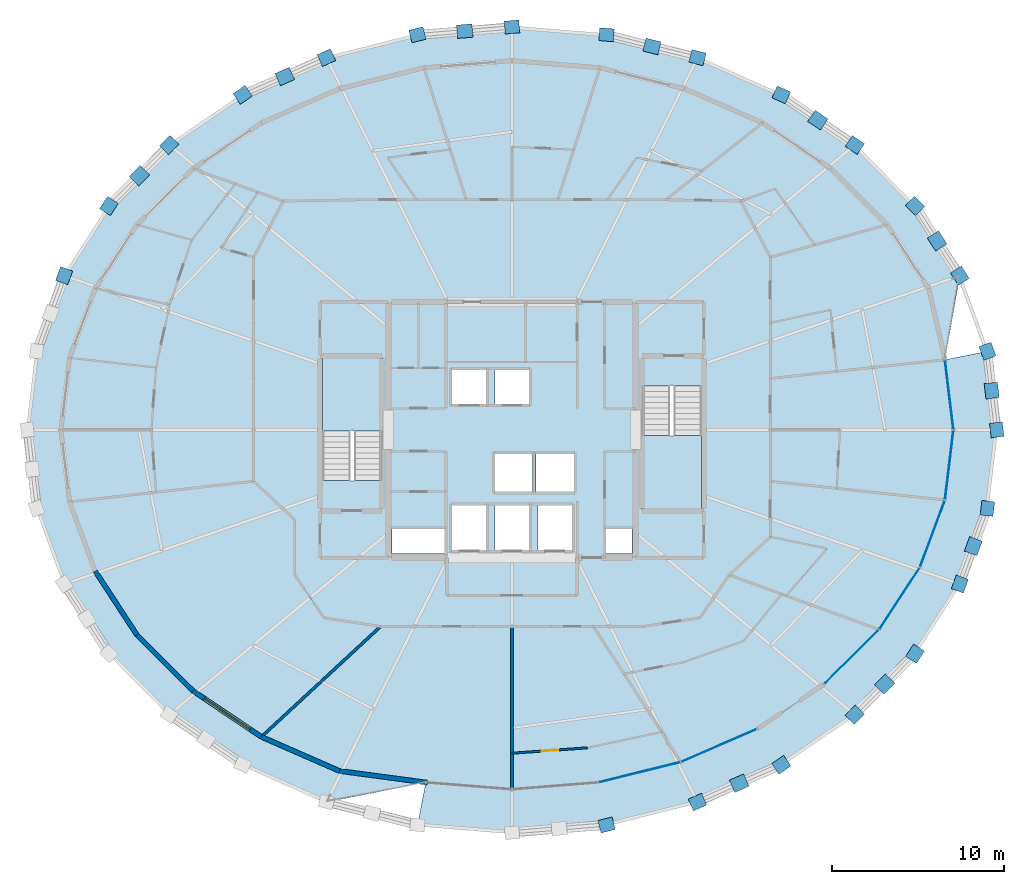
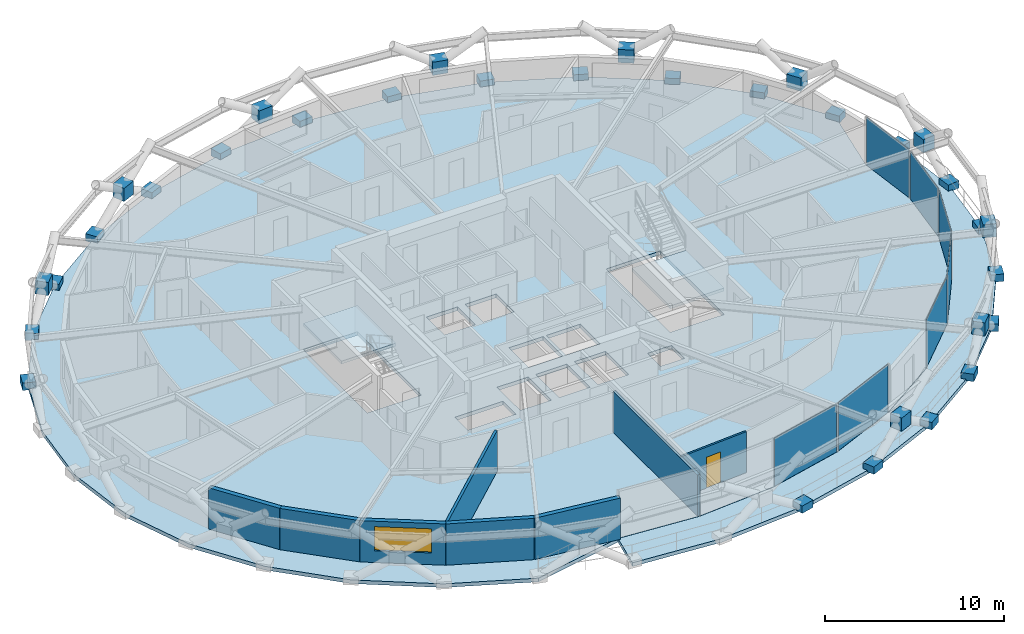
# One storey, part 13 of 19: 39 plates, 8 walls, 4 slabs, 1 door, 1 window, 2 openings, 4 elements without a shape of their own.
"""IFC4 building model written with IfcOpenShell, lengths in metres."""

from ifc_helpers import new_model, si_unit, direction, frame, frame_2d, origin, origin_2d, place, context, subcontext, project, spatial, polyline, rectangle, outline, extrude, material, layer, layer_set, type_object, element, fill, aggregate, save


model = new_model("IFC4")

# Units and contexts
model_context = context("Model", 3, precision=1e-05, world=origin(), true_north=direction((0.0, 1.0)))
body_context = subcontext(model_context, "Body", "Model", "MODEL_VIEW")
ifc_project = project(units=[si_unit("LENGTHUNIT", "METRE"), si_unit("AREAUNIT", "SQUARE_METRE"), si_unit("VOLUMEUNIT", "CUBIC_METRE"), si_unit("PLANEANGLEUNIT", "RADIAN"), si_unit("MASSUNIT", "GRAM", prefix="KILO")], contexts=[model_context])

# Site, building, storey
site_placement = place(None, origin())
site = spatial("IfcSite", under=ifc_project, at=site_placement, CompositionType="ELEMENT")
building_placement = place(site_placement, origin())
building = spatial("IfcBuilding", under=site, at=building_placement, Name="Veldorina Hangang Commons", CompositionType="ELEMENT")
storey_placement = place(building_placement, frame((0.0, 0.0, 156.800048828125)))
storey = spatial("IfcBuildingStorey", under=building, at=storey_placement, Name="L40", CompositionType="ELEMENT", Elevation=156.800048828125)

# Curtain wall, plates
ifc_material_1 = material(Name="Glass Low-E Triple IGU", Category="glass")
ifc_layer_1 = layer(ifc_material_1, 0.179931640625)
ifc_layer_set_1 = layer_set([ifc_layer_1], Name="Glass Low-E Triple IGU")
curtain_wall_type = type_object("IfcCurtainWallType", Name="CW-SYS-Z2", PredefinedType="NOTDEFINED", material=ifc_layer_set_1)
curtain_wall_1_placement = place(storey_placement, origin())
curtain_wall_1 = element("IfcCurtainWall", 1, at=curtain_wall_1_placement, inside=storey, type_object=curtain_wall_type, Name="L40 unitised curtain wall CW-L40-R1", PredefinedType="NOTDEFINED")
ifc_layer_2 = layer(ifc_material_1, 0.0400390625)
ifc_layer_set_2 = layer_set([ifc_layer_2], Name="Glass Low-E Triple IGU")
plate_type_1 = type_object("IfcPlateType", Name="CW-PNL-VIS", PredefinedType="CURTAIN_PANEL", material=ifc_layer_set_2)
plate_1_placement = place(storey_placement, frame((39.4287109375, 4.053955078125, 0.01513671875), z_axis=(0.0, 0.0, 1.0), x_axis=(0.970804464551, 0.239872240177, 0.0)))
plate_1 = element("IfcPlate", 2, at=plate_1_placement, type_object=plate_type_1, Name="CW-L40-R1 facet 3 glazed vision panel", PredefinedType="CURTAIN_PANEL", context=body_context, shape_type="SweptSolid", body=[
    extrude(rectangle(XDim=4.7890625, YDim=0.0400390625, at=origin_2d()), origin(), (0.0, 0.0, 1.0), 3.280029296875),
])
plate_2_placement = place(storey_placement, frame((44.0634765625, 5.61767578125, 0.01513671875), z_axis=(0.0, 0.0, 1.0), x_axis=(0.916872066496, 0.399181179014, 0.0)))
plate_2 = element("IfcPlate", 3, at=plate_2_placement, type_object=plate_type_1, Name="CW-L40-R1 facet 4 glazed vision panel", PredefinedType="CURTAIN_PANEL", context=body_context, shape_type="SweptSolid", body=[
    extrude(rectangle(XDim=4.668701171875, YDim=0.0400390625, at=origin_2d()), origin(), (0.0, 0.0, 1.0), 3.280029296875),
])
aggregate(curtain_wall_1, [plate_1, plate_2])

curtain_wall_2_placement = place(storey_placement, origin())
curtain_wall_2 = element("IfcCurtainWall", 4, at=curtain_wall_2_placement, inside=storey, type_object=curtain_wall_type, Name="L40 unitised curtain wall CW-L40-R2", PredefinedType="NOTDEFINED")
plate_3_placement = place(storey_placement, frame((51.7822265625, 10.777099609375, 0.01513671875), z_axis=(0.0, 0.0, 1.0), x_axis=(0.709792068883, 0.704411256974, 0.0)))
plate_3 = element("IfcPlate", 5, at=plate_3_placement, type_object=plate_type_1, Name="CW-L40-R2 facet 1 glazed vision panel", PredefinedType="CURTAIN_PANEL", context=body_context, shape_type="SweptSolid", body=[
    extrude(rectangle(XDim=4.32568359375, YDim=0.0400390625, at=origin_2d()), origin(), (0.0, 0.0, 1.0), 3.280029296875),
])
plate_4_placement = place(storey_placement, frame((54.5693359375, 14.17431640625, 0.01513671875), z_axis=(0.0, 0.0, 1.0), x_axis=(0.548658075987, 0.836046838194, 0.0)))
plate_4 = element("IfcPlate", 6, at=plate_4_placement, type_object=plate_type_1, Name="CW-L40-R2 facet 2 glazed vision panel", PredefinedType="CURTAIN_PANEL", context=body_context, shape_type="SweptSolid", body=[
    extrude(rectangle(XDim=4.151123046875, YDim=0.0400390625, at=origin_2d()), origin(), (0.0, 0.0, 1.0), 3.280029296875),
])
plate_5_placement = place(storey_placement, frame((56.489013671875, 17.949462890625, 0.01513671875), z_axis=(0.0, 0.0, 1.0), x_axis=(0.349013692334, 0.937117624721, 0.0)))
plate_5 = element("IfcPlate", 7, at=plate_5_placement, type_object=plate_type_1, Name="CW-L40-R2 facet 3 glazed vision panel", PredefinedType="CURTAIN_PANEL", context=body_context, shape_type="SweptSolid", body=[
    extrude(rectangle(XDim=4.0126953125, YDim=0.0400390625, at=origin_2d()), origin(), (0.0, 0.0, 1.0), 3.280029296875),
])
plate_6_placement = place(storey_placement, frame((57.4677734375, 21.95703125, 0.01513671875), z_axis=(0.0, 0.0, 1.0), x_axis=(0.120050203956, 0.992767822066, 0.0)))
plate_6 = element("IfcPlate", 8, at=plate_6_placement, type_object=plate_type_1, Name="CW-L40-R2 facet 4 glazed vision panel", PredefinedType="CURTAIN_PANEL", context=body_context, shape_type="SweptSolid", body=[
    extrude(rectangle(XDim=3.935791015625, YDim=0.0400390625, at=origin_2d()), origin(), (0.0, 0.0, 1.0), 3.280029296875),
])
plate_7_placement = place(storey_placement, frame((57.4677734375, 26.04296875, 0.01513671875), z_axis=(0.0, 0.0, 1.0), x_axis=(-0.120050203956, 0.992767822066, 0.0)))
plate_7 = element("IfcPlate", 9, at=plate_7_placement, type_object=plate_type_1, Name="CW-L40-R2 facet 5 glazed vision panel", PredefinedType="CURTAIN_PANEL", context=body_context, shape_type="SweptSolid", body=[
    extrude(rectangle(XDim=3.935791015625, YDim=0.0400390625, at=origin_2d()), origin(), (0.0, 0.0, 1.0), 3.280029296875),
])
aggregate(curtain_wall_2, [plate_3, plate_4, plate_5, plate_6, plate_7])

# Plates
ifc_material_2 = material(Name="Steel SM460-TMC", Category="steel")
ifc_layer_3 = layer(ifc_material_2, 0.035888671875)
ifc_layer_set_3 = layer_set([ifc_layer_3], Name="Steel SM460-TMC")
plate_type_2 = type_object("IfcPlateType", Name="PL-STAR-36", PredefinedType="USERDEFINED", material=ifc_layer_set_3)
plate_8_placement = place(storey_placement, frame((60.23486328125, 24.0, -0.090087890625), z_axis=(0.0, 0.0, 1.0), x_axis=(-0.117693386836, 0.993049981972, 0.0)))
element("IfcPlate", 10, at=plate_8_placement, inside=storey, type_object=plate_type_2, Name="L40 diagrid star-node gusset plate 00", ObjectType="GUSSET PLATE", PredefinedType="USERDEFINED", context=body_context, shape_type="SweptSolid", body=[
    extrude(rectangle(XDim=0.85009765625, YDim=0.75, at=origin_2d()), origin(), (0.0, 0.0, 1.0), 0.5),
])
plate_9_placement = place(storey_placement, frame((59.94091796875, 26.287353515625, 1.351318359375), z_axis=(0.0, 0.0, 1.0), x_axis=(-0.117693386836, 0.993049981972, 0.0)))
element("IfcPlate", 11, at=plate_9_placement, inside=storey, type_object=plate_type_2, Name="L40 diagrid X-crossing star-node gusset plate 00", ObjectType="GUSSET PLATE", PredefinedType="USERDEFINED", context=body_context, shape_type="SweptSolid", body=[
    extrude(rectangle(XDim=0.89990234375, YDim=0.780029296875, at=origin_2d()), origin(), (0.0, 0.0, 1.0), 0.89990234375),
])
for number, where, z_axis, x_axis, name in (
    (12, (59.6923828125, 28.57763671875, -0.090087890625), (0.0, 0.0, 1.0), (-0.342905630723, 0.939369857095, 0.0), "L40 diagrid star-node gusset plate 01"),
    (13, (58.085693359375, 32.9794921875, -0.090087890625), (0.0, 0.0, 1.0), (-0.540930433927, 0.841067337169, 0.0), "L40 diagrid star-node gusset plate 02"),
):
    element("IfcPlate", number, at=place(storey_placement, frame(where, z_axis=z_axis, x_axis=x_axis)), inside=storey, type_object=plate_type_2, Name=name, ObjectType="GUSSET PLATE", PredefinedType="USERDEFINED", context=body_context, shape_type="SweptSolid", body=[
        extrude(rectangle(XDim=0.85009765625, YDim=0.75, at=origin_2d()), origin(), (0.0, 0.0, 1.0), 0.5),
    ])
plate_10_placement = place(storey_placement, frame((56.760986328125, 35.000244140625, 1.351318359375), z_axis=(0.0, 0.0, 1.0), x_axis=(-0.540930433927, 0.841067337169, 0.0)))
element("IfcPlate", 14, at=plate_10_placement, inside=storey, type_object=plate_type_2, Name="L40 diagrid X-crossing star-node gusset plate 02", ObjectType="GUSSET PLATE", PredefinedType="USERDEFINED", context=body_context, shape_type="SweptSolid", body=[
    extrude(rectangle(XDim=0.89990234375, YDim=0.780029296875, at=origin_2d()), origin(), (0.0, 0.0, 1.0), 0.89990234375),
])
for number, where, z_axis, x_axis, name in (
    (15, (55.4765625, 37.0361328125, -0.090087890625), (0.0, 0.0, 1.0), (-0.702662388332, 0.711523413545, 0.0), "L40 diagrid star-node gusset plate 03"),
    (16, (51.965087890625, 40.591796875, -0.090087890625), (0.0, 0.0, 1.0), (-0.826147468275, 0.563453956116, 0.0), "L40 diagrid star-node gusset plate 04"),
):
    element("IfcPlate", number, at=place(storey_placement, frame(where, z_axis=z_axis, x_axis=x_axis)), inside=storey, type_object=plate_type_2, Name=name, ObjectType="GUSSET PLATE", PredefinedType="USERDEFINED", context=body_context, shape_type="SweptSolid", body=[
        extrude(rectangle(XDim=0.85009765625, YDim=0.75, at=origin_2d()), origin(), (0.0, 0.0, 1.0), 0.5),
    ])
plate_11_placement = place(storey_placement, frame((49.811279296875, 42.03857421875, 1.351318359375), z_axis=(0.0, 0.0, 1.0), x_axis=(-0.826147468275, 0.563453956116, 0.0)))
element("IfcPlate", 17, at=plate_11_placement, inside=storey, type_object=plate_type_2, Name="L40 diagrid X-crossing star-node gusset plate 04", ObjectType="GUSSET PLATE", PredefinedType="USERDEFINED", context=body_context, shape_type="SweptSolid", body=[
    extrude(rectangle(XDim=0.89990234375, YDim=0.780029296875, at=origin_2d()), origin(), (0.0, 0.0, 1.0), 0.89990234375),
])
for number, where, z_axis, x_axis, name in (
    (18, (47.6865234375, 43.510009765625, -0.090087890625), (0.0, 0.0, 1.0), (-0.91389296931, 0.405955220001, 0.0), "L40 diagrid star-node gusset plate 05"),
    (19, (42.804931640625, 45.67822265625, -0.090087890625), (0.0, 0.0, 1.0), (-0.969663318315, 0.244444368136, 0.0), "L40 diagrid star-node gusset plate 06"),
):
    element("IfcPlate", number, at=place(storey_placement, frame(where, z_axis=z_axis, x_axis=x_axis)), inside=storey, type_object=plate_type_2, Name=name, ObjectType="GUSSET PLATE", PredefinedType="USERDEFINED", context=body_context, shape_type="SweptSolid", body=[
        extrude(rectangle(XDim=0.85009765625, YDim=0.75, at=origin_2d()), origin(), (0.0, 0.0, 1.0), 0.5),
    ])
plate_12_placement = place(storey_placement, frame((40.150146484375, 46.330810546875, 1.351318359375), z_axis=(0.0, 0.0, 1.0), x_axis=(-0.969663318315, 0.244444368136, 0.0)))
element("IfcPlate", 20, at=plate_12_placement, inside=storey, type_object=plate_type_2, Name="L40 diagrid X-crossing star-node gusset plate 06", ObjectType="GUSSET PLATE", PredefinedType="USERDEFINED", context=body_context, shape_type="SweptSolid", body=[
    extrude(rectangle(XDim=0.89990234375, YDim=0.780029296875, at=origin_2d()), origin(), (0.0, 0.0, 1.0), 0.89990234375),
])
for number, where, z_axis, x_axis, name in (
    (21, (37.50830078125, 47.013427734375, -0.090087890625), (0.0, 0.0, 1.0), (-0.996665928034, 0.081590611568, 0.0), "L40 diagrid star-node gusset plate 07"),
    (22, (32.0, 47.46435546875, -0.090087890625), (0.0, 0.0, 1.0), (-0.996665928034, -0.081590611568, 0.0), "L40 diagrid star-node gusset plate 08"),
):
    element("IfcPlate", number, at=place(storey_placement, frame(where, z_axis=z_axis, x_axis=x_axis)), inside=storey, type_object=plate_type_2, Name=name, ObjectType="GUSSET PLATE", PredefinedType="USERDEFINED", context=body_context, shape_type="SweptSolid", body=[
        extrude(rectangle(XDim=0.85009765625, YDim=0.75, at=origin_2d()), origin(), (0.0, 0.0, 1.0), 0.5),
    ])
plate_13_placement = place(storey_placement, frame((29.248046875, 47.222900390625, 1.3515625), z_axis=(0.0, 0.0, 1.0), x_axis=(-0.996665928034, -0.081590611568, 0.0)))
element("IfcPlate", 23, at=plate_13_placement, inside=storey, type_object=plate_type_2, Name="L40 diagrid X-crossing star-node gusset plate 08", ObjectType="GUSSET PLATE", PredefinedType="USERDEFINED", context=body_context, shape_type="SweptSolid", body=[
    extrude(rectangle(XDim=0.89990234375, YDim=0.780029296875, at=origin_2d()), origin(), (0.0, 0.0, 1.0), 0.89990234375),
])
for number, where, z_axis, x_axis, name in (
    (24, (26.49169921875, 47.013427734375, -0.090087890625), (0.0, 0.0, 1.0), (-0.969663318315, -0.244444368136, 0.0), "L40 diagrid star-node gusset plate 09"),
    (25, (21.195068359375, 45.67822265625, -0.090087890625), (0.0, 0.0, 1.0), (-0.91389296931, -0.405955220001, 0.0), "L40 diagrid star-node gusset plate 10"),
):
    element("IfcPlate", number, at=place(storey_placement, frame(where, z_axis=z_axis, x_axis=x_axis)), inside=storey, type_object=plate_type_2, Name=name, ObjectType="GUSSET PLATE", PredefinedType="USERDEFINED", context=body_context, shape_type="SweptSolid", body=[
        extrude(rectangle(XDim=0.85009765625, YDim=0.75, at=origin_2d()), origin(), (0.0, 0.0, 1.0), 0.5),
    ])
plate_14_placement = place(storey_placement, frame((18.76513671875, 44.579833984375, 1.351318359375), z_axis=(0.0, 0.0, 1.0), x_axis=(-0.91389296931, -0.405955220001, 0.0)))
element("IfcPlate", 26, at=plate_14_placement, inside=storey, type_object=plate_type_2, Name="L40 diagrid X-crossing star-node gusset plate 10", ObjectType="GUSSET PLATE", PredefinedType="USERDEFINED", context=body_context, shape_type="SweptSolid", body=[
    extrude(rectangle(XDim=0.89990234375, YDim=0.780029296875, at=origin_2d()), origin(), (0.0, 0.0, 1.0), 0.89990234375),
])
for number, where, z_axis, x_axis, name in (
    (27, (16.3134765625, 43.510009765625, -0.090087890625), (0.0, 0.0, 1.0), (-0.826147468275, -0.563453956116, 0.0), "L40 diagrid star-node gusset plate 11"),
    (28, (12.034912109375, 40.591796875, -0.090087890625), (0.0, 0.0, 1.0), (-0.702662388332, -0.711523413545, 0.0), "L40 diagrid star-node gusset plate 12"),
):
    element("IfcPlate", number, at=place(storey_placement, frame(where, z_axis=z_axis, x_axis=x_axis)), inside=storey, type_object=plate_type_2, Name=name, ObjectType="GUSSET PLATE", PredefinedType="USERDEFINED", context=body_context, shape_type="SweptSolid", body=[
        extrude(rectangle(XDim=0.85009765625, YDim=0.75, at=origin_2d()), origin(), (0.0, 0.0, 1.0), 0.5),
    ])
plate_15_placement = place(storey_placement, frame((10.297119140625, 38.8037109375, 1.351318359375), z_axis=(0.0, 0.0, 1.0), x_axis=(-0.702662388332, -0.711523413545, 0.0)))
element("IfcPlate", 29, at=plate_15_placement, inside=storey, type_object=plate_type_2, Name="L40 diagrid X-crossing star-node gusset plate 12", ObjectType="GUSSET PLATE", PredefinedType="USERDEFINED", context=body_context, shape_type="SweptSolid", body=[
    extrude(rectangle(XDim=0.89990234375, YDim=0.780029296875, at=origin_2d()), origin(), (0.0, 0.0, 1.0), 0.89990234375),
])
for number, where, z_axis, x_axis, name in (
    (30, (8.5234375, 37.0361328125, -0.090087890625), (0.0, 0.0, 1.0), (-0.540930433927, -0.841067337169, 0.0), "L40 diagrid star-node gusset plate 13"),
    (31, (5.914306640625, 32.9794921875, -0.090087890625), (0.0, 0.0, 1.0), (-0.342905630723, -0.939369857095, 0.0), "L40 diagrid star-node gusset plate 14"),
    (32, (37.50830078125, 0.986572265625, -0.090087890625), (0.0, 0.0, 1.0), (0.969663318315, 0.244444368136, 0.0), "L40 diagrid star-node gusset plate 25"),
    (33, (42.804931640625, 2.32177734375, -0.090087890625), (0.0, 0.0, 1.0), (0.91389296931, 0.405955220001, 0.0), "L40 diagrid star-node gusset plate 26"),
):
    element("IfcPlate", number, at=place(storey_placement, frame(where, z_axis=z_axis, x_axis=x_axis)), inside=storey, type_object=plate_type_2, Name=name, ObjectType="GUSSET PLATE", PredefinedType="USERDEFINED", context=body_context, shape_type="SweptSolid", body=[
        extrude(rectangle(XDim=0.85009765625, YDim=0.75, at=origin_2d()), origin(), (0.0, 0.0, 1.0), 0.5),
    ])
plate_16_placement = place(storey_placement, frame((45.23486328125, 3.420166015625, 1.351318359375), z_axis=(0.0, 0.0, 1.0), x_axis=(0.91389296931, 0.405955220001, 0.0)))
element("IfcPlate", 34, at=plate_16_placement, inside=storey, type_object=plate_type_2, Name="L40 diagrid X-crossing star-node gusset plate 26", ObjectType="GUSSET PLATE", PredefinedType="USERDEFINED", context=body_context, shape_type="SweptSolid", body=[
    extrude(rectangle(XDim=0.89990234375, YDim=0.780029296875, at=origin_2d()), origin(), (0.0, 0.0, 1.0), 0.89990234375),
])
for number, where, z_axis, x_axis, name in (
    (35, (47.6865234375, 4.489990234375, -0.090087890625), (0.0, 0.0, 1.0), (0.826147468275, 0.563453956116, 0.0), "L40 diagrid star-node gusset plate 27"),
    (36, (51.965087890625, 7.408203125, -0.090087890625), (0.0, 0.0, 1.0), (0.702662388332, 0.711523413545, 0.0), "L40 diagrid star-node gusset plate 28"),
):
    element("IfcPlate", number, at=place(storey_placement, frame(where, z_axis=z_axis, x_axis=x_axis)), inside=storey, type_object=plate_type_2, Name=name, ObjectType="GUSSET PLATE", PredefinedType="USERDEFINED", context=body_context, shape_type="SweptSolid", body=[
        extrude(rectangle(XDim=0.85009765625, YDim=0.75, at=origin_2d()), origin(), (0.0, 0.0, 1.0), 0.5),
    ])
plate_17_placement = place(storey_placement, frame((53.702880859375, 9.1962890625, 1.351318359375), z_axis=(0.0, 0.0, 1.0), x_axis=(0.702662388332, 0.711523413545, 0.0)))
element("IfcPlate", 37, at=plate_17_placement, inside=storey, type_object=plate_type_2, Name="L40 diagrid X-crossing star-node gusset plate 28", ObjectType="GUSSET PLATE", PredefinedType="USERDEFINED", context=body_context, shape_type="SweptSolid", body=[
    extrude(rectangle(XDim=0.89990234375, YDim=0.780029296875, at=origin_2d()), origin(), (0.0, 0.0, 1.0), 0.89990234375),
])
for number, where, z_axis, x_axis, name in (
    (38, (55.4765625, 10.9638671875, -0.090087890625), (0.0, 0.0, 1.0), (0.540930433927, 0.841067337169, 0.0), "L40 diagrid star-node gusset plate 29"),
    (39, (58.085693359375, 15.0205078125, -0.090087890625), (0.0, 0.0, 1.0), (0.342905630723, 0.939369857095, 0.0), "L40 diagrid star-node gusset plate 30"),
):
    element("IfcPlate", number, at=place(storey_placement, frame(where, z_axis=z_axis, x_axis=x_axis)), inside=storey, type_object=plate_type_2, Name=name, ObjectType="GUSSET PLATE", PredefinedType="USERDEFINED", context=body_context, shape_type="SweptSolid", body=[
        extrude(rectangle(XDim=0.85009765625, YDim=0.75, at=origin_2d()), origin(), (0.0, 0.0, 1.0), 0.5),
    ])
plate_18_placement = place(storey_placement, frame((58.866943359375, 17.22607421875, 1.351318359375), z_axis=(0.0, 0.0, 1.0), x_axis=(0.342905630723, 0.939369857095, 0.0)))
element("IfcPlate", 40, at=plate_18_placement, inside=storey, type_object=plate_type_2, Name="L40 diagrid X-crossing star-node gusset plate 30", ObjectType="GUSSET PLATE", PredefinedType="USERDEFINED", context=body_context, shape_type="SweptSolid", body=[
    extrude(rectangle(XDim=0.89990234375, YDim=0.780029296875, at=origin_2d()), origin(), (0.0, 0.0, 1.0), 0.89990234375),
])
plate_19_placement = place(storey_placement, frame((59.6923828125, 19.42236328125, -0.090087890625), z_axis=(0.0, 0.0, 1.0), x_axis=(0.117693386836, 0.993049981972, 0.0)))
element("IfcPlate", 41, at=plate_19_placement, inside=storey, type_object=plate_type_2, Name="L40 diagrid star-node gusset plate 31", ObjectType="GUSSET PLATE", PredefinedType="USERDEFINED", context=body_context, shape_type="SweptSolid", body=[
    extrude(rectangle(XDim=0.85009765625, YDim=0.75, at=origin_2d()), origin(), (0.0, 0.0, 1.0), 0.5),
])

# Slabs
ifc_material_3 = material(Name="Concrete C40/50", Category="concrete")
ifc_layer_4 = layer(ifc_material_3, 0.25)
ifc_layer_set_4 = layer_set([ifc_layer_4], Name="Concrete C40/50")
slab_type_1 = type_object("IfcSlabType", Name="SL-FLR-250", PredefinedType="FLOOR", material=ifc_layer_set_4)
slab_1_placement = place(storey_placement, frame((0.0, 0.0, -0.25)))
element("IfcSlab", 42, at=slab_1_placement, inside=storey, type_object=slab_type_1, Name="L40 tower structural floor slab", PredefinedType="FLOOR", context=body_context, shape_type="SweptSolid", body=[
    extrude(outline(polyline([(57.71484375, 24.0), (57.220703125, 28.0859375), (58.085693359375, 32.9794921875), (55.4765625, 37.0361328125), (51.965087890625, 40.591796875), (47.6865234375, 43.510009765625), (42.804931640625, 45.67822265625), (37.50830078125, 47.013427734375), (32.0, 47.46435546875), (26.49169921875, 47.013427734375), (21.195068359375, 45.67822265625), (16.3134765625, 43.510009765625), (12.034912109375, 40.591796875), (8.5234375, 37.0361328125), (5.914306640625, 32.9794921875), (4.3076171875, 28.57763671875), (3.76513671875, 24.0), (4.3076171875, 19.42236328125), (5.914306640625, 15.0205078125), (8.5234375, 10.9638671875), (12.034912109375, 7.408203125), (16.3134765625, 4.489990234375), (21.195068359375, 2.32177734375), (26.9833984375, 3.4580078125), (32.0, 3.0556640625), (37.0166015625, 3.4580078125), (41.8408203125, 4.64990234375), (46.286376953125, 6.58544921875), (50.18310546875, 9.190185546875), (53.381103515625, 12.364013671875), (55.757568359375, 15.98486328125), (57.220703125, 19.9140625), (57.71484375, 24.0)]), holes=[polyline([(20.949951171875, 21.05810546875), (20.949951171875, 28.199951171875), (24.449951171875, 28.199951171875), (24.449951171875, 21.05810546875), (20.949951171875, 21.05810546875)]), polyline([(43.050048828125, 26.5419921875), (43.050048828125, 19.39990234375), (39.550048828125, 19.39990234375), (39.550048828125, 26.5419921875), (43.050048828125, 26.5419921875)]), polyline([(28.5, 27.5), (30.5, 27.5), (30.5, 25.5), (28.5, 25.5), (28.5, 27.5)]), polyline([(31.0, 27.5), (33.0, 27.5), (33.0, 25.5), (31.0, 25.5), (31.0, 27.5)]), polyline([(31.0, 22.60009765625), (33.199951171875, 22.60009765625), (33.199951171875, 20.39990234375), (31.0, 20.39990234375), (31.0, 22.60009765625)]), polyline([(33.39990234375, 22.60009765625), (35.60009765625, 22.60009765625), (35.60009765625, 20.39990234375), (33.39990234375, 20.39990234375), (33.39990234375, 22.60009765625)]), polyline([(28.5, 19.60009765625), (30.5, 19.60009765625), (30.5, 17.0), (28.5, 17.0), (28.5, 19.60009765625)]), polyline([(31.0, 19.60009765625), (33.0, 19.60009765625), (33.0, 17.0), (31.0, 17.0), (31.0, 19.60009765625)]), polyline([(33.5, 19.60009765625), (35.5, 19.60009765625), (35.5, 17.0), (33.5, 17.0), (33.5, 19.60009765625)]), polyline([(25.0, 18.25), (28.10009765625, 18.25), (28.10009765625, 16.800048828125), (25.0, 16.800048828125), (25.0, 18.25)]), polyline([(37.449951171875, 18.25), (39.0, 18.25), (39.0, 16.800048828125), (37.449951171875, 16.800048828125), (37.449951171875, 18.25)])]), origin(), (0.0, 0.0, 1.0), 0.25),
])
slab_2_placement = place(storey_placement, frame((0.0, 0.0, -0.25)))
element("IfcSlab", 43, at=slab_2_placement, inside=storey, type_object=slab_type_1, Name="L40 sky-garden loggia outdoor slab", PredefinedType="FLOOR", context=body_context, shape_type="SweptSolid", body=[
    extrude(outline(polyline([(59.6923828125, 28.57763671875), (60.23486328125, 24.0), (59.6923828125, 19.42236328125), (58.085693359375, 15.0205078125), (55.4765625, 10.9638671875), (51.965087890625, 7.408203125), (47.6865234375, 4.489990234375), (42.804931640625, 2.32177734375), (37.50830078125, 0.986572265625), (32.0, 0.53564453125), (26.49169921875, 0.986572265625), (26.97998046875, 3.442138671875), (26.984130859375, 3.44287109375), (31.998779296875, 3.04052734375), (32.0, 3.04052734375), (32.001220703125, 3.04052734375), (37.017822265625, 3.443115234375), (37.01904296875, 3.443115234375), (37.020263671875, 3.443359375), (41.84423828125, 4.63525390625), (41.845458984375, 4.6357421875), (41.8466796875, 4.635986328125), (46.29248046875, 6.571533203125), (46.293701171875, 6.572265625), (46.294677734375, 6.572998046875), (50.19140625, 9.177490234375), (50.192626953125, 9.178466796875), (50.19384765625, 9.179443359375), (53.391845703125, 12.353271484375), (53.392822265625, 12.3544921875), (53.393798828125, 12.355712890625), (55.77001953125, 15.976806640625), (55.77099609375, 15.97802734375), (55.771484375, 15.979736328125), (57.23486328125, 19.90869140625), (57.2353515625, 19.910400390625), (57.235595703125, 19.912109375), (57.729736328125, 23.998291015625), (57.72998046875, 24.0), (57.729736328125, 24.001708984375), (57.236083984375, 28.085693359375), (57.236572265625, 28.089111328125), (59.6923828125, 28.57763671875)])), origin(), (0.0, 0.0, 1.0), 0.25),
])

# Stair, slab
stair_type = type_object("IfcStairType", Name="STR-DOG-1650-20R", PredefinedType="HALF_TURN_STAIR", material=ifc_material_3)
stair_1_placement = place(storey_placement, origin())
stair_1 = element("IfcStair", 44, at=stair_1_placement, inside=storey, type_object=stair_type, Name="L40 Exit stair ST-1", PredefinedType="HALF_TURN_STAIR")
ifc_layer_5 = layer(ifc_material_3, 0.199951171875)
ifc_layer_set_5 = layer_set([ifc_layer_5], Name="Concrete C40/50")
slab_type_2 = type_object("IfcSlabType", Name="SL-LND-200", PredefinedType="LANDING", material=ifc_layer_set_5)
slab_3_placement = place(storey_placement, frame((0.0, 0.0, 1.599853515625)))
slab_3 = element("IfcSlab", 45, at=slab_3_placement, type_object=slab_type_2, Name="ST-1 landing 1", PredefinedType="LANDING", context=body_context, shape_type="SweptSolid", body=[
    extrude(outline(polyline([(24.449951171875, 23.929931640625), (24.449951171875, 28.199951171875), (20.949951171875, 28.199951171875), (20.949951171875, 23.929931640625), (24.449951171875, 23.929931640625)])), origin(), (0.0, 0.0, 1.0), 0.2001953125),
])
aggregate(stair_1, [slab_3])

stair_2_placement = place(storey_placement, origin())
stair_2 = element("IfcStair", 46, at=stair_2_placement, inside=storey, type_object=stair_type, Name="L40 Exit stair ST-2", PredefinedType="HALF_TURN_STAIR")
slab_4_placement = place(storey_placement, frame((0.0, 0.0, 1.599853515625)))
slab_4 = element("IfcSlab", 47, at=slab_4_placement, type_object=slab_type_2, Name="ST-2 landing 1", PredefinedType="LANDING", context=body_context, shape_type="SweptSolid", body=[
    extrude(outline(polyline([(39.550048828125, 23.669921875), (39.550048828125, 19.39990234375), (43.050048828125, 19.39990234375), (43.050048828125, 23.669921875), (39.550048828125, 23.669921875)])), origin(), (0.0, 0.0, 1.0), 0.2001953125),
])
aggregate(stair_2, [slab_4])

# Walls
ifc_material_4 = material(Name="Stone Roman Travertine", Category="masonry")
ifc_layer_6 = layer(ifc_material_4, 0.280029296875)
ifc_layer_set_6 = layer_set([ifc_layer_6], Name="Stone Roman Travertine")
wall_type_1 = type_object("IfcWallType", Name="EW-TRAV-280", PredefinedType="STANDARD", material=ifc_layer_set_6)
wall_1_placement = place(storey_placement, frame((7.72509765625, 15.7705078125, 0.0), z_axis=(0.0, 0.0, 1.0), x_axis=(0.546834521775, -0.83724070959, 0.0)))
element("IfcWall", 48, at=wall_1_placement, inside=storey, type_object=wall_type_1, Name="L40 travertine facade wall 18", PredefinedType="STANDARD", context=body_context, shape_type="SweptSolid", body=[
    extrude(rectangle(XDim=4.4404296875, YDim=0.280029296875, at=frame_2d((2.22021484375, 0.0))), origin(), (0.0, 0.0, 1.0), 2.820068359375),
])
wall_2_placement = place(storey_placement, frame((10.1533203125, 12.052734375, 0.0), z_axis=(0.0, 0.0, 1.0), x_axis=(0.708084852303, -0.706127355326, 0.0)))
element("IfcWall", 49, at=wall_2_placement, inside=storey, type_object=wall_type_1, Name="L40 travertine facade wall 19", PredefinedType="STANDARD", context=body_context, shape_type="SweptSolid", body=[
    extrude(rectangle(XDim=4.61474609375, YDim=0.280029296875, at=frame_2d((2.307373046875, 0.0))), origin(), (0.0, 0.0, 1.0), 2.820068359375),
])

# Wall, opening, window
wall_3_placement = place(storey_placement, frame((13.4208984375, 8.794189453125, 0.0), z_axis=(0.0, 0.0, 1.0), x_axis=(0.830095249601, -0.557621624931, 0.0)))
wall_3 = element("IfcWall", 50, at=wall_3_placement, inside=storey, type_object=wall_type_1, Name="L40 travertine facade wall 20", PredefinedType="STANDARD", context=body_context, shape_type="SweptSolid", body=[
    extrude(rectangle(XDim=4.79638671875, YDim=0.280029296875, at=frame_2d((2.398193359375, 0.0))), origin(), (0.0, 0.0, 1.0), 2.820068359375),
])
opening_1_placement = place(wall_3_placement, frame((0.798095703125, 0.0, 0.800048828125)))
opening_1 = element("IfcOpeningElement", 51, at=opening_1_placement, cuts=wall_3, Name="Opening W-01", PredefinedType="OPENING", context=body_context, shape_type="SweptSolid", body=[
    extrude(rectangle(XDim=3.199951171875, YDim=1.64990234375, at=frame_2d((1.60009765625, 0.824951171875))), frame((0.0, 0.14990234375, 0.0), z_axis=(0.0, -1.0, 0.0), x_axis=(1.0, 0.0, 0.0)), (0.0, 0.0, 1.0), 0.300048828125),
])
window_type = type_object("IfcWindowType", Name="WIN-TWR-3200", PartitioningType="SINGLE_PANEL", PredefinedType="WINDOW", material=ifc_material_1)
window_placement = place(opening_1_placement, origin())
window = element("IfcWindow", 52, at=window_placement, inside=storey, type_object=window_type, Name="L40 facade window 20", OverallHeight=1.64990234375, OverallWidth=3.199951171875, PartitioningType="SINGLE_PANEL", PredefinedType="WINDOW", context=body_context, shape_type="SweptSolid", body=[
    extrude(rectangle(XDim=3.199951171875, YDim=1.64990234375, at=frame_2d((1.60009765625, 0.824951171875))), frame((0.0, 0.030029296875, 0.0), z_axis=(0.0, -1.0, 0.0), x_axis=(1.0, 0.0, 0.0)), (0.0, 0.0, 1.0), 0.06005859375),
])
fill(opening_1, window)

# Walls
wall_4_placement = place(storey_placement, frame((17.40234375, 6.11962890625, 0.0), z_axis=(0.0, 0.0, 1.0), x_axis=(0.916185584373, -0.400754257603, 0.0)))
element("IfcWall", 53, at=wall_4_placement, inside=storey, type_object=wall_type_1, Name="L40 travertine facade wall 21", PredefinedType="STANDARD", context=body_context, shape_type="SweptSolid", body=[
    extrude(rectangle(XDim=4.958251953125, YDim=0.280029296875, at=frame_2d((2.47900390625, 0.0))), origin(), (0.0, 0.0, 1.0), 2.820068359375),
])
wall_5_placement = place(storey_placement, frame((21.945068359375, 4.132568359375, 0.0), z_axis=(0.0, 0.0, 1.0), x_axis=(0.991155650999, -0.132704466742, 0.0)))
element("IfcWall", 54, at=wall_5_placement, inside=storey, type_object=wall_type_1, Name="L40 travertine facade wall 22", PredefinedType="STANDARD", context=body_context, shape_type="SweptSolid", body=[
    extrude(rectangle(XDim=5.175048828125, YDim=0.280029296875, at=frame_2d((2.58740234375, 0.0))), origin(), (0.0, 0.0, 1.0), 2.820068359375),
])
ifc_material_5 = material(Name="Gypsum Fire-Rated Twin Stud Wall", Category="gypsum")
ifc_layer_7 = layer(ifc_material_5, 0.159912109375)
ifc_layer_set_7 = layer_set([ifc_layer_7], Name="Gypsum Fire-Rated Twin Stud Wall")
wall_type_2 = type_object("IfcWallType", Name="WL-FIRE-160", PredefinedType="SOLIDWALL", material=ifc_layer_set_7)
wall_6_placement = place(storey_placement, frame((24.349365234375, 12.550048828125, 0.0), z_axis=(0.0, 0.0, 1.0), x_axis=(-0.733869336749, -0.679290656921, 0.0)))
element("IfcWall", 55, at=wall_6_placement, inside=storey, type_object=wall_type_2, Name="L40 Unit party wall 21 118", PredefinedType="SOLIDWALL", context=body_context, shape_type="SweptSolid", body=[
    extrude(rectangle(XDim=9.416015625, YDim=0.159912109375, at=frame_2d((4.7080078125, 0.0))), origin(), (0.0, 0.0, 1.0), 2.800048828125),
])
wall_7_placement = place(storey_placement, frame((32.0, 12.550048828125, 0.0), z_axis=(0.0, 0.0, 1.0), x_axis=(0.0, -1.0, 0.0)))
element("IfcWall", 56, at=wall_7_placement, inside=storey, type_object=wall_type_2, Name="L40 Unit party wall 24 119", PredefinedType="SOLIDWALL", context=body_context, shape_type="SweptSolid", body=[
    extrude(rectangle(XDim=9.4443359375, YDim=0.159912109375, at=frame_2d((4.72216796875, 0.0))), origin(), (0.0, 0.0, 1.0), 2.800048828125),
])

# Wall, opening, door
ifc_material_6 = material(Name="Gypsum Acoustic Stud Partition", Category="gypsum")
ifc_layer_8 = layer(ifc_material_6, 0.1201171875)
ifc_layer_set_8 = layer_set([ifc_layer_8], Name="Gypsum Acoustic Stud Partition")
wall_type_3 = type_object("IfcWallType", Name="WL-PART-120", PredefinedType="PARTITIONING", material=ifc_layer_set_8)
wall_8_placement = place(storey_placement, frame((32.0, 5.16650390625, 0.0), z_axis=(0.0, 0.0, 1.0), x_axis=(0.99748834157, 0.070830843796, 0.0)))
wall_8 = element("IfcWall", 57, at=wall_8_placement, inside=storey, type_object=wall_type_3, Name="L40 Laundry split 0 120", PredefinedType="PARTITIONING", context=body_context, shape_type="SweptSolid", body=[
    extrude(rectangle(XDim=4.418701171875, YDim=0.1201171875, at=frame_2d((2.20947265625, 0.0))), origin(), (0.0, 0.0, 1.0), 2.800048828125),
])
opening_2_placement = place(wall_8_placement, frame((1.734375, 0.0, 0.0)))
opening_2 = element("IfcOpeningElement", 58, at=opening_2_placement, cuts=wall_8, Name="Opening D-02", PredefinedType="OPENING", context=body_context, shape_type="SweptSolid", body=[
    extrude(rectangle(XDim=0.949951171875, YDim=2.10009765625, at=frame_2d((0.47509765625, 1.050048828125))), frame((0.0, 0.070068359375, 0.0), z_axis=(0.0, -1.0, 0.0), x_axis=(1.0, 0.0, 0.0)), (0.0, 0.0, 1.0), 0.14013671875),
])
ifc_material_7 = material(Name="Timber Solid Core Acoustic", Category="wood")
door_type = type_object("IfcDoorType", Name="DR-INT-950", OperationType="SINGLE_SWING_LEFT", PredefinedType="DOOR", material=ifc_material_7)
door_placement = place(opening_2_placement, origin())
door = element("IfcDoor", 59, at=door_placement, inside=storey, type_object=door_type, Name="L40 Resident laundry inner door 046", OperationType="SINGLE_SWING_RIGHT", OverallHeight=2.10009765625, OverallWidth=0.949951171875, PredefinedType="DOOR", context=body_context, shape_type="SweptSolid", body=[
    extrude(rectangle(XDim=0.949951171875, YDim=2.10009765625, at=frame_2d((0.47509765625, 1.050048828125))), frame((0.0, 0.02490234375, 0.0), z_axis=(0.0, -1.0, 0.0), x_axis=(1.0, 0.0, 0.0)), (0.0, 0.0, 1.0), 0.050048828125),
])
fill(opening_2, door)

save(model, "model.ifc")
